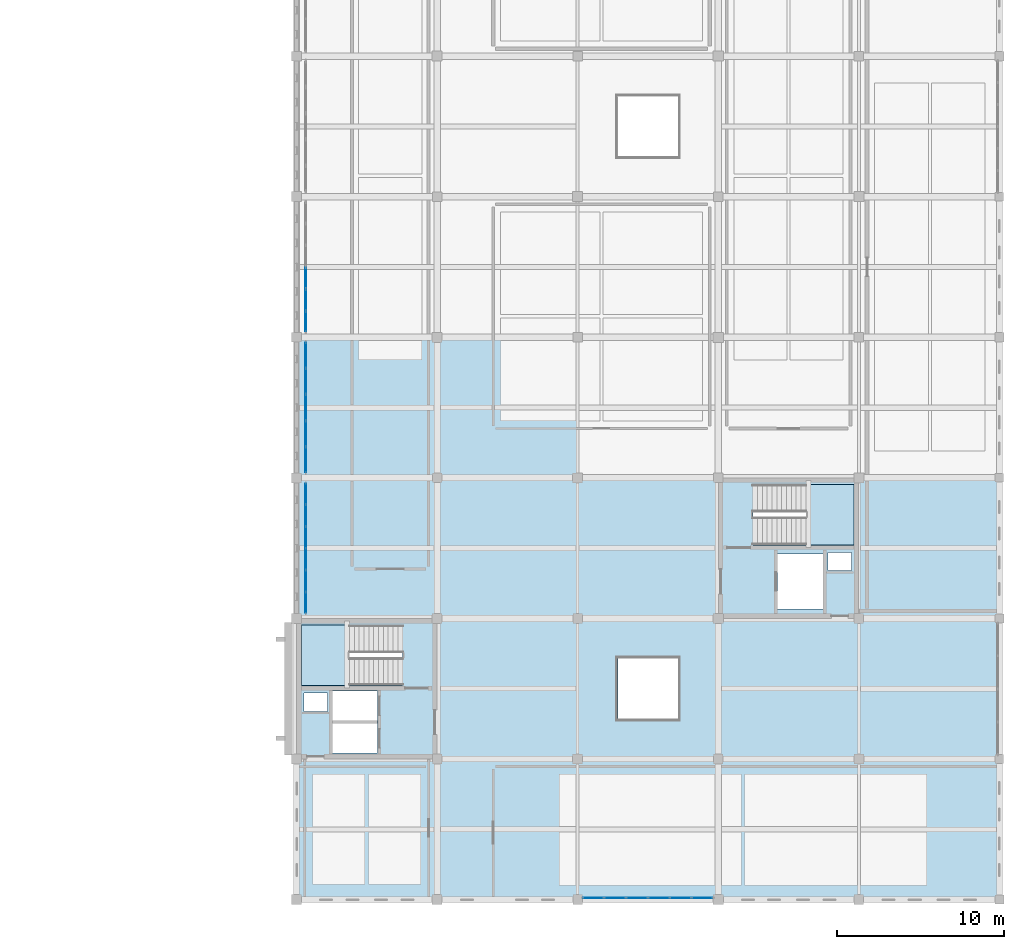
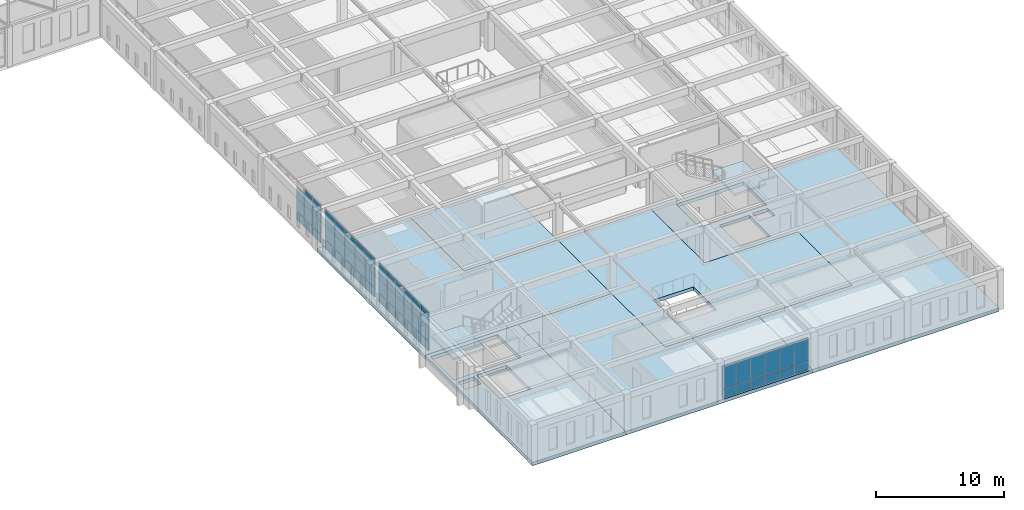
# One storey, part 29 of 56: 53 plates, 8 slabs, 6 elements without a shape of their own.
"""IFC4 building model written with IfcOpenShell, lengths in metres."""

from ifc_helpers import new_model, si_unit, direction, frame, origin, origin_2d, place, context, subcontext, project, spatial, polyline, rectangle, outline, extrude, material, layer, layer_set, type_object, element, aggregate, save


model = new_model("IFC4")

# Units and contexts
model_context = context("Model", 3, precision=1e-05, world=origin(), true_north=direction((0.0, 1.0)))
body_context = subcontext(model_context, "Body", "Model", "MODEL_VIEW")
ifc_project = project(units=[si_unit("LENGTHUNIT", "METRE"), si_unit("AREAUNIT", "SQUARE_METRE"), si_unit("VOLUMEUNIT", "CUBIC_METRE"), si_unit("PLANEANGLEUNIT", "RADIAN"), si_unit("MASSUNIT", "GRAM", prefix="KILO")], contexts=[model_context])

# Site, building, storey
site_placement = place(None, origin())
site = spatial("IfcSite", under=ifc_project, at=site_placement, CompositionType="ELEMENT")
building_placement = place(site_placement, origin())
building = spatial("IfcBuilding", under=site, at=building_placement, Name="Kveldsbrygga Polytechnic", CompositionType="ELEMENT")
storey_placement = place(building_placement, frame((0.0, 0.0, 18.02001953125)))
storey = spatial("IfcBuildingStorey", under=building, at=storey_placement, Name="L04", CompositionType="ELEMENT", Elevation=18.02001953125)

# Curtain wall, plates
ifc_material_1 = material(Name="Anodised aluminium AW-6060", Category="aluminium")
ifc_layer_1 = layer(ifc_material_1, 0.179931640625)
ifc_layer_set_1 = layer_set([ifc_layer_1], Name="Anodised aluminium AW-6060")
curtain_wall_type_1 = type_object("IfcCurtainWallType", Name="CW-CONC-A", PredefinedType="USERDEFINED", material=ifc_layer_set_1)
curtain_wall_1_placement = place(storey_placement, origin())
curtain_wall_1 = element("IfcCurtainWall", 1, at=curtain_wall_1_placement, inside=storey, type_object=curtain_wall_type_1, Name="Curtain Wall CW-L04-Y-15-04", ObjectType="UNITISED CURTAIN WALL", PredefinedType="USERDEFINED")
ifc_material_2 = material(Name="Insulated triple low-E glass", Category="glass")
ifc_layer_2 = layer(ifc_material_2, 0.035888671875)
ifc_layer_set_2 = layer_set([ifc_layer_2], Name="Insulated triple low-E glass")
plate_type_1 = type_object("IfcPlateType", Name="CW-PAN-VIS36", PredefinedType="CURTAIN_PANEL", material=ifc_layer_set_2)
plate_1_placement = place(storey_placement, frame((126.550048828125, 34.543212890625, 0.06005859375), z_axis=(0.0, 0.0, 1.0), x_axis=(0.0, 1.0, 0.0)))
plate_1 = element("IfcPlate", 2, at=plate_1_placement, type_object=plate_type_1, Name="CW-01 panel 1.1", PredefinedType="CURTAIN_PANEL", context=body_context, shape_type="SweptSolid", body=[
    extrude(rectangle(XDim=1.216552734375, YDim=0.035888671875, at=origin_2d()), origin(), (0.0, 0.0, 1.0), 0.81005859375),
])
plate_2_placement = place(storey_placement, frame((126.550048828125, 34.543212890625, 0.929931640625), z_axis=(0.0, 0.0, 1.0), x_axis=(0.0, 1.0, 0.0)))
plate_2 = element("IfcPlate", 3, at=plate_2_placement, type_object=plate_type_1, Name="CW-01 panel 1.2", PredefinedType="CURTAIN_PANEL", context=body_context, shape_type="SweptSolid", body=[
    extrude(rectangle(XDim=1.216552734375, YDim=0.035888671875, at=origin_2d()), origin(), (0.0, 0.0, 1.0), 2.27001953125),
])
plate_3_placement = place(storey_placement, frame((126.550048828125, 34.543212890625, 3.260009765625), z_axis=(0.0, 0.0, 1.0), x_axis=(0.0, 1.0, 0.0)))
plate_3 = element("IfcPlate", 4, at=plate_3_placement, type_object=plate_type_1, Name="CW-01 panel 1.3", PredefinedType="CURTAIN_PANEL", context=body_context, shape_type="SweptSolid", body=[
    extrude(rectangle(XDim=1.216552734375, YDim=0.035888671875, at=origin_2d()), origin(), (0.0, 0.0, 1.0), 0.4599609375),
])
plate_4_placement = place(storey_placement, frame((126.550048828125, 35.8349609375, 0.06005859375), z_axis=(0.0, 0.0, 1.0), x_axis=(0.0, 1.0, 0.0)))
plate_4 = element("IfcPlate", 5, at=plate_4_placement, type_object=plate_type_1, Name="CW-01 panel 2.1", PredefinedType="CURTAIN_PANEL", context=body_context, shape_type="SweptSolid", body=[
    extrude(rectangle(XDim=1.24658203125, YDim=0.035888671875, at=origin_2d()), origin(), (0.0, 0.0, 1.0), 0.81005859375),
])
plate_5_placement = place(storey_placement, frame((126.550048828125, 35.8349609375, 0.929931640625), z_axis=(0.0, 0.0, 1.0), x_axis=(0.0, 1.0, 0.0)))
plate_5 = element("IfcPlate", 6, at=plate_5_placement, type_object=plate_type_1, Name="CW-01 panel 2.2", PredefinedType="CURTAIN_PANEL", context=body_context, shape_type="SweptSolid", body=[
    extrude(rectangle(XDim=1.24658203125, YDim=0.035888671875, at=origin_2d()), origin(), (0.0, 0.0, 1.0), 2.27001953125),
])
plate_6_placement = place(storey_placement, frame((126.550048828125, 35.8349609375, 3.260009765625), z_axis=(0.0, 0.0, 1.0), x_axis=(0.0, 1.0, 0.0)))
plate_6 = element("IfcPlate", 7, at=plate_6_placement, type_object=plate_type_1, Name="CW-01 panel 2.3", PredefinedType="CURTAIN_PANEL", context=body_context, shape_type="SweptSolid", body=[
    extrude(rectangle(XDim=1.24658203125, YDim=0.035888671875, at=origin_2d()), origin(), (0.0, 0.0, 1.0), 0.4599609375),
])
plate_7_placement = place(storey_placement, frame((126.550048828125, 37.1416015625, 0.06005859375), z_axis=(0.0, 0.0, 1.0), x_axis=(0.0, 1.0, 0.0)))
plate_7 = element("IfcPlate", 8, at=plate_7_placement, type_object=plate_type_1, Name="CW-01 panel 3.1", PredefinedType="CURTAIN_PANEL", context=body_context, shape_type="SweptSolid", body=[
    extrude(rectangle(XDim=1.24658203125, YDim=0.035888671875, at=origin_2d()), origin(), (0.0, 0.0, 1.0), 0.81005859375),
])
plate_8_placement = place(storey_placement, frame((126.550048828125, 37.1416015625, 0.929931640625), z_axis=(0.0, 0.0, 1.0), x_axis=(0.0, 1.0, 0.0)))
plate_8 = element("IfcPlate", 9, at=plate_8_placement, type_object=plate_type_1, Name="CW-01 panel 3.2", PredefinedType="CURTAIN_PANEL", context=body_context, shape_type="SweptSolid", body=[
    extrude(rectangle(XDim=1.24658203125, YDim=0.035888671875, at=origin_2d()), origin(), (0.0, 0.0, 1.0), 2.27001953125),
])
plate_9_placement = place(storey_placement, frame((126.550048828125, 37.1416015625, 3.260009765625), z_axis=(0.0, 0.0, 1.0), x_axis=(0.0, 1.0, 0.0)))
plate_9 = element("IfcPlate", 10, at=plate_9_placement, type_object=plate_type_1, Name="CW-01 panel 3.3", PredefinedType="CURTAIN_PANEL", context=body_context, shape_type="SweptSolid", body=[
    extrude(rectangle(XDim=1.24658203125, YDim=0.035888671875, at=origin_2d()), origin(), (0.0, 0.0, 1.0), 0.4599609375),
])
plate_10_placement = place(storey_placement, frame((126.550048828125, 38.4482421875, 0.06005859375), z_axis=(0.0, 0.0, 1.0), x_axis=(0.0, 1.0, 0.0)))
plate_10 = element("IfcPlate", 11, at=plate_10_placement, type_object=plate_type_1, Name="CW-01 panel 4.1", PredefinedType="CURTAIN_PANEL", context=body_context, shape_type="SweptSolid", body=[
    extrude(rectangle(XDim=1.24658203125, YDim=0.035888671875, at=origin_2d()), origin(), (0.0, 0.0, 1.0), 0.81005859375),
])
plate_11_placement = place(storey_placement, frame((126.550048828125, 38.4482421875, 0.929931640625), z_axis=(0.0, 0.0, 1.0), x_axis=(0.0, 1.0, 0.0)))
plate_11 = element("IfcPlate", 12, at=plate_11_placement, type_object=plate_type_1, Name="CW-01 panel 4.2", PredefinedType="CURTAIN_PANEL", context=body_context, shape_type="SweptSolid", body=[
    extrude(rectangle(XDim=1.24658203125, YDim=0.035888671875, at=origin_2d()), origin(), (0.0, 0.0, 1.0), 2.27001953125),
])
plate_12_placement = place(storey_placement, frame((126.550048828125, 38.4482421875, 3.260009765625), z_axis=(0.0, 0.0, 1.0), x_axis=(0.0, 1.0, 0.0)))
plate_12 = element("IfcPlate", 13, at=plate_12_placement, type_object=plate_type_1, Name="CW-01 panel 4.3", PredefinedType="CURTAIN_PANEL", context=body_context, shape_type="SweptSolid", body=[
    extrude(rectangle(XDim=1.24658203125, YDim=0.035888671875, at=origin_2d()), origin(), (0.0, 0.0, 1.0), 0.4599609375),
])
plate_13_placement = place(storey_placement, frame((126.550048828125, 39.7548828125, 0.06005859375), z_axis=(0.0, 0.0, 1.0), x_axis=(0.0, 1.0, 0.0)))
plate_13 = element("IfcPlate", 14, at=plate_13_placement, type_object=plate_type_1, Name="CW-01 panel 5.1", PredefinedType="CURTAIN_PANEL", context=body_context, shape_type="SweptSolid", body=[
    extrude(rectangle(XDim=1.24658203125, YDim=0.035888671875, at=origin_2d()), origin(), (0.0, 0.0, 1.0), 0.81005859375),
])
plate_14_placement = place(storey_placement, frame((126.550048828125, 39.7548828125, 0.929931640625), z_axis=(0.0, 0.0, 1.0), x_axis=(0.0, 1.0, 0.0)))
plate_14 = element("IfcPlate", 15, at=plate_14_placement, type_object=plate_type_1, Name="CW-01 panel 5.2", PredefinedType="CURTAIN_PANEL", context=body_context, shape_type="SweptSolid", body=[
    extrude(rectangle(XDim=1.24658203125, YDim=0.035888671875, at=origin_2d()), origin(), (0.0, 0.0, 1.0), 2.27001953125),
])
plate_15_placement = place(storey_placement, frame((126.550048828125, 39.7548828125, 3.260009765625), z_axis=(0.0, 0.0, 1.0), x_axis=(0.0, 1.0, 0.0)))
plate_15 = element("IfcPlate", 16, at=plate_15_placement, type_object=plate_type_1, Name="CW-01 panel 5.3", PredefinedType="CURTAIN_PANEL", context=body_context, shape_type="SweptSolid", body=[
    extrude(rectangle(XDim=1.24658203125, YDim=0.035888671875, at=origin_2d()), origin(), (0.0, 0.0, 1.0), 0.4599609375),
])
plate_16_placement = place(storey_placement, frame((126.550048828125, 41.046630859375, 0.06005859375), z_axis=(0.0, 0.0, 1.0), x_axis=(0.0, 1.0, 0.0)))
plate_16 = element("IfcPlate", 17, at=plate_16_placement, type_object=plate_type_1, Name="CW-01 panel 6.1", PredefinedType="CURTAIN_PANEL", context=body_context, shape_type="SweptSolid", body=[
    extrude(rectangle(XDim=1.216552734375, YDim=0.035888671875, at=origin_2d()), origin(), (0.0, 0.0, 1.0), 0.81005859375),
])
plate_17_placement = place(storey_placement, frame((126.550048828125, 41.046630859375, 0.929931640625), z_axis=(0.0, 0.0, 1.0), x_axis=(0.0, 1.0, 0.0)))
plate_17 = element("IfcPlate", 18, at=plate_17_placement, type_object=plate_type_1, Name="CW-01 panel 6.2", PredefinedType="CURTAIN_PANEL", context=body_context, shape_type="SweptSolid", body=[
    extrude(rectangle(XDim=1.216552734375, YDim=0.035888671875, at=origin_2d()), origin(), (0.0, 0.0, 1.0), 2.27001953125),
])
plate_18_placement = place(storey_placement, frame((126.550048828125, 41.046630859375, 3.260009765625), z_axis=(0.0, 0.0, 1.0), x_axis=(0.0, 1.0, 0.0)))
plate_18 = element("IfcPlate", 19, at=plate_18_placement, type_object=plate_type_1, Name="CW-01 panel 6.3", PredefinedType="CURTAIN_PANEL", context=body_context, shape_type="SweptSolid", body=[
    extrude(rectangle(XDim=1.216552734375, YDim=0.035888671875, at=origin_2d()), origin(), (0.0, 0.0, 1.0), 0.4599609375),
])
aggregate(curtain_wall_1, [plate_1, plate_2, plate_3, plate_4, plate_5, plate_6, plate_7, plate_8, plate_9, plate_10, plate_11, plate_12, plate_13, plate_14, plate_15, plate_16, plate_17, plate_18])

curtain_wall_2_placement = place(storey_placement, origin())
curtain_wall_2 = element("IfcCurtainWall", 20, at=curtain_wall_2_placement, inside=storey, type_object=curtain_wall_type_1, Name="Curtain Wall CW-L04-X-17-02", ObjectType="UNITISED CURTAIN WALL", PredefinedType="USERDEFINED")
plate_19_placement = place(storey_placement, frame((143.743408203125, 16.89990234375, 0.06005859375), z_axis=(0.0, 0.0, 1.0), x_axis=(1.0, 0.0, 0.0)))
plate_19 = element("IfcPlate", 21, at=plate_19_placement, type_object=plate_type_1, Name="CW-01 panel 1.1", PredefinedType="CURTAIN_PANEL", context=body_context, shape_type="SweptSolid", body=[
    extrude(rectangle(XDim=1.216552734375, YDim=0.035888671875, at=origin_2d()), origin(), (0.0, 0.0, 1.0), 0.81005859375),
])
plate_20_placement = place(storey_placement, frame((143.743408203125, 16.89990234375, 0.929931640625), z_axis=(0.0, 0.0, 1.0), x_axis=(1.0, 0.0, 0.0)))
plate_20 = element("IfcPlate", 22, at=plate_20_placement, type_object=plate_type_1, Name="CW-01 panel 1.2", PredefinedType="CURTAIN_PANEL", context=body_context, shape_type="SweptSolid", body=[
    extrude(rectangle(XDim=1.216552734375, YDim=0.035888671875, at=origin_2d()), origin(), (0.0, 0.0, 1.0), 2.18994140625),
])
plate_21_placement = place(storey_placement, frame((145.034912109375, 16.89990234375, 0.06005859375), z_axis=(0.0, 0.0, 1.0), x_axis=(1.0, 0.0, 0.0)))
plate_21 = element("IfcPlate", 23, at=plate_21_placement, type_object=plate_type_1, Name="CW-01 panel 2.1", PredefinedType="CURTAIN_PANEL", context=body_context, shape_type="SweptSolid", body=[
    extrude(rectangle(XDim=1.24658203125, YDim=0.035888671875, at=origin_2d()), origin(), (0.0, 0.0, 1.0), 0.81005859375),
])
plate_22_placement = place(storey_placement, frame((145.034912109375, 16.89990234375, 0.929931640625), z_axis=(0.0, 0.0, 1.0), x_axis=(1.0, 0.0, 0.0)))
plate_22 = element("IfcPlate", 24, at=plate_22_placement, type_object=plate_type_1, Name="CW-01 panel 2.2", PredefinedType="CURTAIN_PANEL", context=body_context, shape_type="SweptSolid", body=[
    extrude(rectangle(XDim=1.24658203125, YDim=0.035888671875, at=origin_2d()), origin(), (0.0, 0.0, 1.0), 2.18994140625),
])
plate_23_placement = place(storey_placement, frame((146.341552734375, 16.89990234375, 0.06005859375), z_axis=(0.0, 0.0, 1.0), x_axis=(1.0, 0.0, 0.0)))
plate_23 = element("IfcPlate", 25, at=plate_23_placement, type_object=plate_type_1, Name="CW-01 panel 3.1", PredefinedType="CURTAIN_PANEL", context=body_context, shape_type="SweptSolid", body=[
    extrude(rectangle(XDim=1.24658203125, YDim=0.035888671875, at=origin_2d()), origin(), (0.0, 0.0, 1.0), 0.81005859375),
])
plate_24_placement = place(storey_placement, frame((146.341552734375, 16.89990234375, 0.929931640625), z_axis=(0.0, 0.0, 1.0), x_axis=(1.0, 0.0, 0.0)))
plate_24 = element("IfcPlate", 26, at=plate_24_placement, type_object=plate_type_1, Name="CW-01 panel 3.2", PredefinedType="CURTAIN_PANEL", context=body_context, shape_type="SweptSolid", body=[
    extrude(rectangle(XDim=1.24658203125, YDim=0.035888671875, at=origin_2d()), origin(), (0.0, 0.0, 1.0), 2.18994140625),
])
plate_25_placement = place(storey_placement, frame((147.6484375, 16.89990234375, 0.06005859375), z_axis=(0.0, 0.0, 1.0), x_axis=(1.0, 0.0, 0.0)))
plate_25 = element("IfcPlate", 27, at=plate_25_placement, type_object=plate_type_1, Name="CW-01 panel 4.1", PredefinedType="CURTAIN_PANEL", context=body_context, shape_type="SweptSolid", body=[
    extrude(rectangle(XDim=1.24658203125, YDim=0.035888671875, at=origin_2d()), origin(), (0.0, 0.0, 1.0), 0.81005859375),
])
plate_26_placement = place(storey_placement, frame((147.6484375, 16.89990234375, 0.929931640625), z_axis=(0.0, 0.0, 1.0), x_axis=(1.0, 0.0, 0.0)))
plate_26 = element("IfcPlate", 28, at=plate_26_placement, type_object=plate_type_1, Name="CW-01 panel 4.2", PredefinedType="CURTAIN_PANEL", context=body_context, shape_type="SweptSolid", body=[
    extrude(rectangle(XDim=1.24658203125, YDim=0.035888671875, at=origin_2d()), origin(), (0.0, 0.0, 1.0), 2.18994140625),
])
plate_27_placement = place(storey_placement, frame((148.955078125, 16.89990234375, 0.06005859375), z_axis=(0.0, 0.0, 1.0), x_axis=(1.0, 0.0, 0.0)))
plate_27 = element("IfcPlate", 29, at=plate_27_placement, type_object=plate_type_1, Name="CW-01 panel 5.1", PredefinedType="CURTAIN_PANEL", context=body_context, shape_type="SweptSolid", body=[
    extrude(rectangle(XDim=1.24658203125, YDim=0.035888671875, at=origin_2d()), origin(), (0.0, 0.0, 1.0), 0.81005859375),
])
plate_28_placement = place(storey_placement, frame((148.955078125, 16.89990234375, 0.929931640625), z_axis=(0.0, 0.0, 1.0), x_axis=(1.0, 0.0, 0.0)))
plate_28 = element("IfcPlate", 30, at=plate_28_placement, type_object=plate_type_1, Name="CW-01 panel 5.2", PredefinedType="CURTAIN_PANEL", context=body_context, shape_type="SweptSolid", body=[
    extrude(rectangle(XDim=1.24658203125, YDim=0.035888671875, at=origin_2d()), origin(), (0.0, 0.0, 1.0), 2.18994140625),
])
plate_29_placement = place(storey_placement, frame((150.24658203125, 16.89990234375, 0.06005859375), z_axis=(0.0, 0.0, 1.0), x_axis=(1.0, 0.0, 0.0)))
plate_29 = element("IfcPlate", 31, at=plate_29_placement, type_object=plate_type_1, Name="CW-01 panel 6.1", PredefinedType="CURTAIN_PANEL", context=body_context, shape_type="SweptSolid", body=[
    extrude(rectangle(XDim=1.216552734375, YDim=0.035888671875, at=origin_2d()), origin(), (0.0, 0.0, 1.0), 0.81005859375),
])
plate_30_placement = place(storey_placement, frame((150.24658203125, 16.89990234375, 0.929931640625), z_axis=(0.0, 0.0, 1.0), x_axis=(1.0, 0.0, 0.0)))
plate_30 = element("IfcPlate", 32, at=plate_30_placement, type_object=plate_type_1, Name="CW-01 panel 6.2", PredefinedType="CURTAIN_PANEL", context=body_context, shape_type="SweptSolid", body=[
    extrude(rectangle(XDim=1.216552734375, YDim=0.035888671875, at=origin_2d()), origin(), (0.0, 0.0, 1.0), 2.18994140625),
])
aggregate(curtain_wall_2, [plate_19, plate_20, plate_21, plate_22, plate_23, plate_24, plate_25, plate_26, plate_27, plate_28, plate_29, plate_30])

ifc_layer_3 = layer(ifc_material_1, 0.199951171875)
ifc_layer_set_3 = layer_set([ifc_layer_3], Name="Anodised aluminium AW-6060")
curtain_wall_type_2 = type_object("IfcCurtainWallType", Name="CW-CONC-B", PredefinedType="USERDEFINED", material=ifc_layer_set_3)
curtain_wall_3_placement = place(storey_placement, origin())
curtain_wall_3 = element("IfcCurtainWall", 33, at=curtain_wall_3_placement, inside=storey, type_object=curtain_wall_type_2, Name="Curtain Wall CW-L04-Y-15-05", ObjectType="UNITISED CURTAIN WALL", PredefinedType="USERDEFINED")
ifc_layer_4 = layer(ifc_material_2, 0.0419921875)
ifc_layer_set_4 = layer_set([ifc_layer_4], Name="Insulated triple low-E glass")
plate_type_2 = type_object("IfcPlateType", Name="CW-PAN-VIS42", PredefinedType="CURTAIN_PANEL", material=ifc_layer_set_4)
plate_31_placement = place(storey_placement, frame((126.550048828125, 43.083984375, 0.06005859375), z_axis=(0.0, 0.0, 1.0), x_axis=(0.0, 1.0, 0.0)))
plate_31 = element("IfcPlate", 34, at=plate_31_placement, type_object=plate_type_2, Name="CW-02 panel 1.1", PredefinedType="CURTAIN_PANEL", context=body_context, shape_type="SweptSolid", body=[
    extrude(rectangle(XDim=1.47802734375, YDim=0.0419921875, at=origin_2d()), origin(), (0.0, 0.0, 1.0), 0.81005859375),
])
plate_32_placement = place(storey_placement, frame((126.550048828125, 43.083984375, 0.929931640625), z_axis=(0.0, 0.0, 1.0), x_axis=(0.0, 1.0, 0.0)))
plate_32 = element("IfcPlate", 35, at=plate_32_placement, type_object=plate_type_2, Name="CW-02 panel 1.2", PredefinedType="CURTAIN_PANEL", context=body_context, shape_type="SweptSolid", body=[
    extrude(rectangle(XDim=1.47802734375, YDim=0.0419921875, at=origin_2d()), origin(), (0.0, 0.0, 1.0), 2.27001953125),
])
plate_33_placement = place(storey_placement, frame((126.550048828125, 43.083984375, 3.260009765625), z_axis=(0.0, 0.0, 1.0), x_axis=(0.0, 1.0, 0.0)))
plate_33 = element("IfcPlate", 36, at=plate_33_placement, type_object=plate_type_2, Name="CW-02 panel 1.3", PredefinedType="CURTAIN_PANEL", context=body_context, shape_type="SweptSolid", body=[
    extrude(rectangle(XDim=1.47802734375, YDim=0.0419921875, at=origin_2d()), origin(), (0.0, 0.0, 1.0), 0.4599609375),
])
plate_34_placement = place(storey_placement, frame((126.550048828125, 44.636962890625, 0.06005859375), z_axis=(0.0, 0.0, 1.0), x_axis=(0.0, 1.0, 0.0)))
plate_34 = element("IfcPlate", 37, at=plate_34_placement, type_object=plate_type_2, Name="CW-02 panel 2.1", PredefinedType="CURTAIN_PANEL", context=body_context, shape_type="SweptSolid", body=[
    extrude(rectangle(XDim=1.508056640625, YDim=0.0419921875, at=origin_2d()), origin(), (0.0, 0.0, 1.0), 0.81005859375),
])
plate_35_placement = place(storey_placement, frame((126.550048828125, 44.636962890625, 0.929931640625), z_axis=(0.0, 0.0, 1.0), x_axis=(0.0, 1.0, 0.0)))
plate_35 = element("IfcPlate", 38, at=plate_35_placement, type_object=plate_type_2, Name="CW-02 panel 2.2", PredefinedType="CURTAIN_PANEL", context=body_context, shape_type="SweptSolid", body=[
    extrude(rectangle(XDim=1.508056640625, YDim=0.0419921875, at=origin_2d()), origin(), (0.0, 0.0, 1.0), 2.27001953125),
])
plate_36_placement = place(storey_placement, frame((126.550048828125, 44.636962890625, 3.260009765625), z_axis=(0.0, 0.0, 1.0), x_axis=(0.0, 1.0, 0.0)))
plate_36 = element("IfcPlate", 39, at=plate_36_placement, type_object=plate_type_2, Name="CW-02 panel 2.3", PredefinedType="CURTAIN_PANEL", context=body_context, shape_type="SweptSolid", body=[
    extrude(rectangle(XDim=1.508056640625, YDim=0.0419921875, at=origin_2d()), origin(), (0.0, 0.0, 1.0), 0.4599609375),
])
plate_37_placement = place(storey_placement, frame((126.550048828125, 46.205078125, 0.06005859375), z_axis=(0.0, 0.0, 1.0), x_axis=(0.0, 1.0, 0.0)))
plate_37 = element("IfcPlate", 40, at=plate_37_placement, type_object=plate_type_2, Name="CW-02 panel 3.1", PredefinedType="CURTAIN_PANEL", context=body_context, shape_type="SweptSolid", body=[
    extrude(rectangle(XDim=1.508056640625, YDim=0.0419921875, at=origin_2d()), origin(), (0.0, 0.0, 1.0), 0.81005859375),
])
plate_38_placement = place(storey_placement, frame((126.550048828125, 46.205078125, 0.929931640625), z_axis=(0.0, 0.0, 1.0), x_axis=(0.0, 1.0, 0.0)))
plate_38 = element("IfcPlate", 41, at=plate_38_placement, type_object=plate_type_2, Name="CW-02 panel 3.2", PredefinedType="CURTAIN_PANEL", context=body_context, shape_type="SweptSolid", body=[
    extrude(rectangle(XDim=1.508056640625, YDim=0.0419921875, at=origin_2d()), origin(), (0.0, 0.0, 1.0), 2.27001953125),
])
plate_39_placement = place(storey_placement, frame((126.550048828125, 46.205078125, 3.260009765625), z_axis=(0.0, 0.0, 1.0), x_axis=(0.0, 1.0, 0.0)))
plate_39 = element("IfcPlate", 42, at=plate_39_placement, type_object=plate_type_2, Name="CW-02 panel 3.3", PredefinedType="CURTAIN_PANEL", context=body_context, shape_type="SweptSolid", body=[
    extrude(rectangle(XDim=1.508056640625, YDim=0.0419921875, at=origin_2d()), origin(), (0.0, 0.0, 1.0), 0.4599609375),
])
plate_40_placement = place(storey_placement, frame((126.550048828125, 47.77294921875, 0.06005859375), z_axis=(0.0, 0.0, 1.0), x_axis=(0.0, 1.0, 0.0)))
plate_40 = element("IfcPlate", 43, at=plate_40_placement, type_object=plate_type_2, Name="CW-02 panel 4.1", PredefinedType="CURTAIN_PANEL", context=body_context, shape_type="SweptSolid", body=[
    extrude(rectangle(XDim=1.508056640625, YDim=0.0419921875, at=origin_2d()), origin(), (0.0, 0.0, 1.0), 0.81005859375),
])
plate_41_placement = place(storey_placement, frame((126.550048828125, 47.77294921875, 0.929931640625), z_axis=(0.0, 0.0, 1.0), x_axis=(0.0, 1.0, 0.0)))
plate_41 = element("IfcPlate", 44, at=plate_41_placement, type_object=plate_type_2, Name="CW-02 panel 4.2", PredefinedType="CURTAIN_PANEL", context=body_context, shape_type="SweptSolid", body=[
    extrude(rectangle(XDim=1.508056640625, YDim=0.0419921875, at=origin_2d()), origin(), (0.0, 0.0, 1.0), 2.27001953125),
])
plate_42_placement = place(storey_placement, frame((126.550048828125, 47.77294921875, 3.260009765625), z_axis=(0.0, 0.0, 1.0), x_axis=(0.0, 1.0, 0.0)))
plate_42 = element("IfcPlate", 45, at=plate_42_placement, type_object=plate_type_2, Name="CW-02 panel 4.3", PredefinedType="CURTAIN_PANEL", context=body_context, shape_type="SweptSolid", body=[
    extrude(rectangle(XDim=1.508056640625, YDim=0.0419921875, at=origin_2d()), origin(), (0.0, 0.0, 1.0), 0.4599609375),
])
plate_43_placement = place(storey_placement, frame((126.550048828125, 49.325927734375, 0.06005859375), z_axis=(0.0, 0.0, 1.0), x_axis=(0.0, 1.0, 0.0)))
plate_43 = element("IfcPlate", 46, at=plate_43_placement, type_object=plate_type_2, Name="CW-02 panel 5.1", PredefinedType="CURTAIN_PANEL", context=body_context, shape_type="SweptSolid", body=[
    extrude(rectangle(XDim=1.47802734375, YDim=0.0419921875, at=origin_2d()), origin(), (0.0, 0.0, 1.0), 0.81005859375),
])
plate_44_placement = place(storey_placement, frame((126.550048828125, 49.325927734375, 0.929931640625), z_axis=(0.0, 0.0, 1.0), x_axis=(0.0, 1.0, 0.0)))
plate_44 = element("IfcPlate", 47, at=plate_44_placement, type_object=plate_type_2, Name="CW-02 panel 5.2", PredefinedType="CURTAIN_PANEL", context=body_context, shape_type="SweptSolid", body=[
    extrude(rectangle(XDim=1.47802734375, YDim=0.0419921875, at=origin_2d()), origin(), (0.0, 0.0, 1.0), 2.27001953125),
])
plate_45_placement = place(storey_placement, frame((126.550048828125, 49.325927734375, 3.260009765625), z_axis=(0.0, 0.0, 1.0), x_axis=(0.0, 1.0, 0.0)))
plate_45 = element("IfcPlate", 48, at=plate_45_placement, type_object=plate_type_2, Name="CW-02 panel 5.3", PredefinedType="CURTAIN_PANEL", context=body_context, shape_type="SweptSolid", body=[
    extrude(rectangle(XDim=1.47802734375, YDim=0.0419921875, at=origin_2d()), origin(), (0.0, 0.0, 1.0), 0.4599609375),
])
aggregate(curtain_wall_3, [plate_31, plate_32, plate_33, plate_34, plate_35, plate_36, plate_37, plate_38, plate_39, plate_40, plate_41, plate_42, plate_43, plate_44, plate_45])

ifc_layer_5 = layer(ifc_material_1, 0.159912109375)
ifc_layer_set_5 = layer_set([ifc_layer_5], Name="Anodised aluminium AW-6060")
curtain_wall_type_3 = type_object("IfcCurtainWallType", Name="CW-CLER-C", PredefinedType="USERDEFINED", material=ifc_layer_set_5)
curtain_wall_4_placement = place(storey_placement, origin())
curtain_wall_4 = element("IfcCurtainWall", 49, at=curtain_wall_4_placement, inside=storey, type_object=curtain_wall_type_3, Name="Curtain Wall CW-L04-Y-15-06", ObjectType="STICK CURTAIN WALL", PredefinedType="USERDEFINED")
ifc_layer_6 = layer(ifc_material_2, 0.048095703125)
ifc_layer_set_6 = layer_set([ifc_layer_6], Name="Insulated triple low-E glass")
plate_type_3 = type_object("IfcPlateType", Name="CW-PAN-VIS48", PredefinedType="CURTAIN_PANEL", material=ifc_layer_set_6)
plate_46_placement = place(storey_placement, frame((126.550048828125, 51.34716796875, 0.074951171875), z_axis=(0.0, 0.0, 1.0), x_axis=(0.0, 1.0, 0.0)))
plate_46 = element("IfcPlate", 50, at=plate_46_placement, type_object=plate_type_3, Name="CW-03 panel 1.1", PredefinedType="CURTAIN_PANEL", context=body_context, shape_type="SweptSolid", body=[
    extrude(rectangle(XDim=1.194091796875, YDim=0.048095703125, at=origin_2d()), origin(), (0.0, 0.0, 1.0), 0.78759765625),
])
plate_47_placement = place(storey_placement, frame((126.550048828125, 51.34716796875, 0.9375), z_axis=(0.0, 0.0, 1.0), x_axis=(0.0, 1.0, 0.0)))
plate_47 = element("IfcPlate", 51, at=plate_47_placement, type_object=plate_type_3, Name="CW-03 panel 1.2", PredefinedType="CURTAIN_PANEL", context=body_context, shape_type="SweptSolid", body=[
    extrude(rectangle(XDim=1.194091796875, YDim=0.048095703125, at=origin_2d()), origin(), (0.0, 0.0, 1.0), 2.2548828125),
])
plate_48_placement = place(storey_placement, frame((126.550048828125, 51.34716796875, 3.267578125), z_axis=(0.0, 0.0, 1.0), x_axis=(0.0, 1.0, 0.0)))
plate_48 = element("IfcPlate", 52, at=plate_48_placement, type_object=plate_type_3, Name="CW-03 panel 1.3", PredefinedType="CURTAIN_PANEL", context=body_context, shape_type="SweptSolid", body=[
    extrude(rectangle(XDim=1.194091796875, YDim=0.048095703125, at=origin_2d()), origin(), (0.0, 0.0, 1.0), 0.4375),
])
plate_49_placement = place(storey_placement, frame((126.550048828125, 52.635009765625, 0.074951171875), z_axis=(0.0, 0.0, 1.0), x_axis=(0.0, 1.0, 0.0)))
plate_49 = element("IfcPlate", 53, at=plate_49_placement, type_object=plate_type_3, Name="CW-03 panel 2.1", PredefinedType="CURTAIN_PANEL", context=body_context, shape_type="SweptSolid", body=[
    extrude(rectangle(XDim=1.231689453125, YDim=0.048095703125, at=origin_2d()), origin(), (0.0, 0.0, 1.0), 0.78759765625),
])
plate_50_placement = place(storey_placement, frame((126.550048828125, 52.635009765625, 0.9375), z_axis=(0.0, 0.0, 1.0), x_axis=(0.0, 1.0, 0.0)))
plate_50 = element("IfcPlate", 54, at=plate_50_placement, type_object=plate_type_3, Name="CW-03 panel 2.2", PredefinedType="CURTAIN_PANEL", context=body_context, shape_type="SweptSolid", body=[
    extrude(rectangle(XDim=1.231689453125, YDim=0.048095703125, at=origin_2d()), origin(), (0.0, 0.0, 1.0), 2.2548828125),
])
plate_51_placement = place(storey_placement, frame((126.550048828125, 52.635009765625, 3.267578125), z_axis=(0.0, 0.0, 1.0), x_axis=(0.0, 1.0, 0.0)))
plate_51 = element("IfcPlate", 55, at=plate_51_placement, type_object=plate_type_3, Name="CW-03 panel 2.3", PredefinedType="CURTAIN_PANEL", context=body_context, shape_type="SweptSolid", body=[
    extrude(rectangle(XDim=1.231689453125, YDim=0.048095703125, at=origin_2d()), origin(), (0.0, 0.0, 1.0), 0.4375),
])
plate_52_placement = place(storey_placement, frame((126.550048828125, 53.941650390625, 0.074951171875), z_axis=(0.0, 0.0, 1.0), x_axis=(0.0, 1.0, 0.0)))
plate_52 = element("IfcPlate", 56, at=plate_52_placement, type_object=plate_type_3, Name="CW-03 panel 3.1", PredefinedType="CURTAIN_PANEL", context=body_context, shape_type="SweptSolid", body=[
    extrude(rectangle(XDim=1.231689453125, YDim=0.048095703125, at=origin_2d()), origin(), (0.0, 0.0, 1.0), 0.78759765625),
])
plate_53_placement = place(storey_placement, frame((126.550048828125, 53.941650390625, 0.9375), z_axis=(0.0, 0.0, 1.0), x_axis=(0.0, 1.0, 0.0)))
plate_53 = element("IfcPlate", 57, at=plate_53_placement, type_object=plate_type_3, Name="CW-03 panel 3.2", PredefinedType="CURTAIN_PANEL", context=body_context, shape_type="SweptSolid", body=[
    extrude(rectangle(XDim=1.231689453125, YDim=0.048095703125, at=origin_2d()), origin(), (0.0, 0.0, 1.0), 2.2548828125),
])
aggregate(curtain_wall_4, [plate_46, plate_47, plate_48, plate_49, plate_50, plate_51, plate_52, plate_53])

# Stair, slab
ifc_material_3 = material(Name="Concrete C35/45", Category="concrete")
stair_type = type_object("IfcStairType", Name="STR-CORE-408", PredefinedType="HALF_TURN_STAIR", material=ifc_material_3)
stair_1_placement = place(storey_placement, origin())
stair_1 = element("IfcStair", 58, at=stair_1_placement, inside=storey, type_object=stair_type, Name="L04 Core C1 Escape Stair ST-1", PredefinedType="HALF_TURN_STAIR")
ifc_layer_7 = layer(ifc_material_3, 0.199951171875)
ifc_layer_set_7 = layer_set([ifc_layer_7], Name="Concrete C35/45")
slab_type_1 = type_object("IfcSlabType", Name="SLB-LANDING-200", PredefinedType="LANDING", material=ifc_layer_set_7)
slab_1_placement = place(storey_placement, frame((0.0, 0.0, 1.840087890625)))
slab_1 = element("IfcSlab", 59, at=slab_1_placement, type_object=slab_type_1, Name="ST-1 landing 1", PredefinedType="LANDING", context=body_context, shape_type="SweptSolid", body=[
    extrude(outline(polyline([(129.159912109375, 33.199951171875), (126.300048828125, 33.199951171875), (126.300048828125, 29.60009765625), (129.159912109375, 29.60009765625), (129.159912109375, 33.199951171875)])), origin(), (0.0, 0.0, 1.0), 0.199951171875),
])
aggregate(stair_1, [slab_1])

stair_2_placement = place(storey_placement, origin())
stair_2 = element("IfcStair", 60, at=stair_2_placement, inside=storey, type_object=stair_type, Name="L04 Core C3 Escape Stair ST-3", PredefinedType="HALF_TURN_STAIR")
slab_2_placement = place(storey_placement, frame((0.0, 0.0, 1.840087890625)))
slab_2 = element("IfcSlab", 61, at=slab_2_placement, type_object=slab_type_1, Name="ST-3 landing 1", PredefinedType="LANDING", context=body_context, shape_type="SweptSolid", body=[
    extrude(outline(polyline([(156.43994140625, 38.0), (159.300048828125, 38.0), (159.300048828125, 41.60009765625), (156.43994140625, 41.60009765625), (156.43994140625, 38.0)])), origin(), (0.0, 0.0, 1.0), 0.199951171875),
])
aggregate(stair_2, [slab_2])

# Slabs
ifc_layer_8 = layer(ifc_material_3, 0.330078125)
ifc_layer_set_8 = layer_set([ifc_layer_8], Name="Concrete C35/45")
slab_type_2 = type_object("IfcSlabType", Name="SLB-STACK-330", PredefinedType="FLOOR", material=ifc_layer_set_8)
slab_3_placement = place(storey_placement, frame((0.0, 0.0, -0.330078125)))
element("IfcSlab", 62, at=slab_3_placement, inside=storey, type_object=slab_type_2, Name="Slab SLB-L04-V4-L03-1", PredefinedType="FLOOR", context=body_context, shape_type="SweptSolid", body=[
    extrude(outline(polyline([(126.0, 33.60009765625), (126.0, 42.0), (126.0, 50.39990234375), (134.39990234375, 50.39990234375), (134.39990234375, 42.0), (142.800048828125, 42.0), (142.800048828125, 33.60009765625), (134.39990234375, 33.60009765625), (126.0, 33.60009765625)])), origin(), (0.0, 0.0, 1.0), 0.330078125),
])
slab_4_placement = place(storey_placement, frame((0.0, 0.0, -0.330078125)))
element("IfcSlab", 63, at=slab_4_placement, inside=storey, type_object=slab_type_2, Name="Slab SLB-L04-V4-L07-1", PredefinedType="FLOOR", context=body_context, shape_type="SweptSolid", body=[
    extrude(outline(polyline([(134.39990234375, 16.800048828125), (134.39990234375, 25.199951171875), (134.39990234375, 33.60009765625), (142.800048828125, 33.60009765625), (142.800048828125, 25.199951171875), (151.199951171875, 25.199951171875), (151.199951171875, 16.800048828125), (142.800048828125, 16.800048828125), (134.39990234375, 16.800048828125)])), origin(), (0.0, 0.0, 1.0), 0.330078125),
])
slab_5_placement = place(storey_placement, frame((0.0, 0.0, -0.330078125)))
element("IfcSlab", 64, at=slab_5_placement, inside=storey, type_object=slab_type_2, Name="Slab SLB-L04-V4-L10-1", PredefinedType="FLOOR", context=body_context, shape_type="SweptSolid", body=[
    extrude(outline(polyline([(142.800048828125, 25.199951171875), (142.800048828125, 33.60009765625), (142.800048828125, 42.0), (151.199951171875, 42.0), (151.199951171875, 33.60009765625), (159.60009765625, 33.60009765625), (159.60009765625, 25.199951171875), (151.199951171875, 25.199951171875), (142.800048828125, 25.199951171875)]), holes=[polyline([(145.199951171875, 27.60009765625), (148.800048828125, 27.60009765625), (148.800048828125, 31.199951171875), (145.199951171875, 31.199951171875), (145.199951171875, 27.60009765625)])]), origin(), (0.0, 0.0, 1.0), 0.330078125),
])
slab_6_placement = place(storey_placement, frame((0.0, 0.0, -0.330078125)))
element("IfcSlab", 65, at=slab_6_placement, inside=storey, type_object=slab_type_2, Name="Slab SLB-L04-V4-Z3-1", PredefinedType="FLOOR", context=body_context, shape_type="SweptSolid", body=[
    extrude(outline(polyline([(126.0, 25.199951171875), (126.0, 33.60009765625), (134.39990234375, 33.60009765625), (134.39990234375, 25.199951171875), (134.39990234375, 16.800048828125), (126.0, 16.800048828125), (126.0, 25.199951171875)]), holes=[polyline([(132.324951171875, 33.199951171875), (126.300048828125, 33.199951171875), (126.300048828125, 29.60009765625), (132.324951171875, 29.60009765625), (132.324951171875, 33.199951171875)]), polyline([(128.14990234375, 25.550048828125), (130.85009765625, 25.550048828125), (130.85009765625, 29.25), (128.14990234375, 29.25), (128.14990234375, 25.550048828125)]), polyline([(126.449951171875, 28.050048828125), (127.85009765625, 28.050048828125), (127.85009765625, 29.14990234375), (126.449951171875, 29.14990234375), (126.449951171875, 28.050048828125)])]), origin(), (0.0, 0.0, 1.0), 0.330078125),
])
slab_7_placement = place(storey_placement, frame((0.0, 0.0, -0.330078125)))
element("IfcSlab", 66, at=slab_7_placement, inside=storey, type_object=slab_type_2, Name="Slab SLB-L04-V4-Z3-2", PredefinedType="FLOOR", context=body_context, shape_type="SweptSolid", body=[
    extrude(outline(polyline([(159.60009765625, 25.199951171875), (159.60009765625, 33.60009765625), (151.199951171875, 33.60009765625), (151.199951171875, 42.0), (159.60009765625, 42.0), (168.0, 42.0), (168.0, 33.60009765625), (168.0, 25.199951171875), (168.0, 16.800048828125), (159.60009765625, 16.800048828125), (151.199951171875, 16.800048828125), (151.199951171875, 25.199951171875), (159.60009765625, 25.199951171875)]), holes=[polyline([(153.27490234375, 38.0), (159.300048828125, 38.0), (159.300048828125, 41.60009765625), (153.27490234375, 41.60009765625), (153.27490234375, 38.0)]), polyline([(154.75, 34.14990234375), (157.449951171875, 34.14990234375), (157.449951171875, 37.449951171875), (154.75, 37.449951171875), (154.75, 34.14990234375)]), polyline([(157.75, 36.449951171875), (159.14990234375, 36.449951171875), (159.14990234375, 37.550048828125), (157.75, 37.550048828125), (157.75, 36.449951171875)])]), origin(), (0.0, 0.0, 1.0), 0.330078125),
])
slab_8_placement = place(storey_placement, frame((0.0, 0.0, -0.330078125)))
element("IfcSlab", 67, at=slab_8_placement, inside=storey, type_object=slab_type_2, Name="Slab SLB-L04-V4-Z6-1", PredefinedType="FLOOR", context=body_context, shape_type="SweptSolid", body=[
    extrude(outline(polyline([(142.800048828125, 50.39990234375), (142.800048828125, 42.0), (134.39990234375, 42.0), (134.39990234375, 50.39990234375), (142.800048828125, 50.39990234375)])), origin(), (0.0, 0.0, 1.0), 0.330078125),
])

save(model, "model.ifc")
